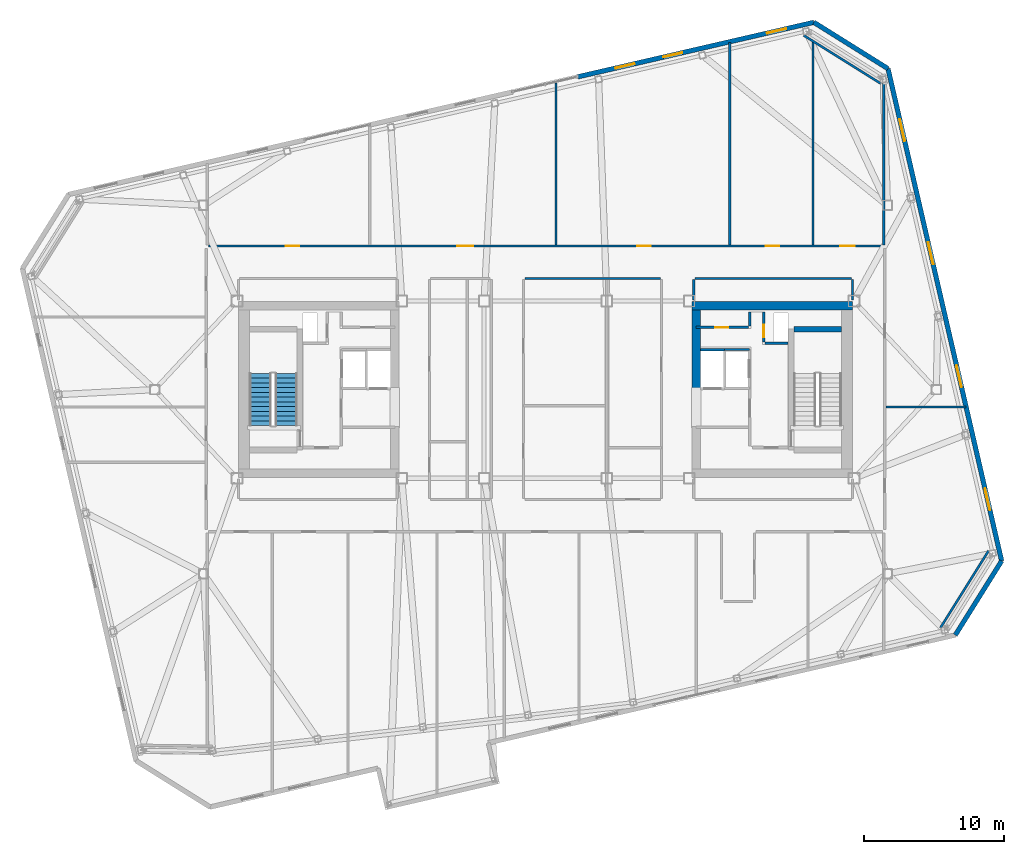
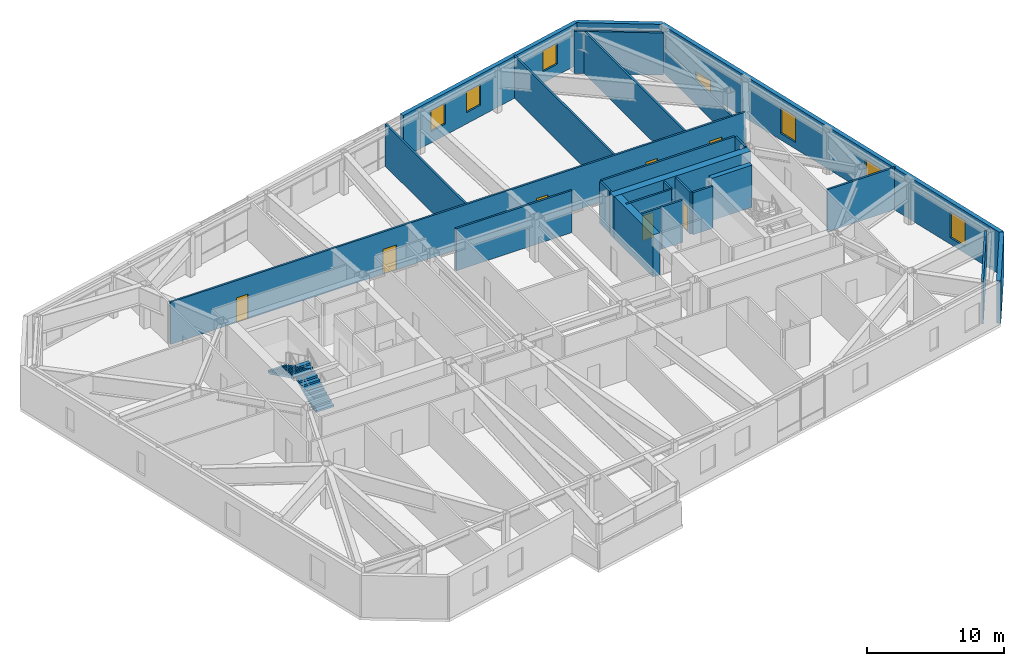
# One storey, part 17 of 21: 25 walls, 7 doors, 7 windows, 2 stair flights, 14 openings, 1 element without a shape of its own.
"""IFC4 building model written with IfcOpenShell, lengths in metres."""

from ifc_helpers import new_model, si_unit, direction, frame, frame_2d, origin, place, context, subcontext, project, spatial, polyline, rectangle, outline, extrude, material, layer, layer_set, type_object, element, fill, aggregate, save


model = new_model("IFC4")

# Units and contexts
model_context = context("Model", 3, precision=1e-05, world=origin(), true_north=direction((0.0, 1.0)))
body_context = subcontext(model_context, "Body", "Model", "MODEL_VIEW")
ifc_project = project(units=[si_unit("LENGTHUNIT", "METRE"), si_unit("AREAUNIT", "SQUARE_METRE"), si_unit("VOLUMEUNIT", "CUBIC_METRE"), si_unit("PLANEANGLEUNIT", "RADIAN"), si_unit("MASSUNIT", "GRAM", prefix="KILO")], contexts=[model_context])

# Site, building, storey
site_placement = place(None, origin())
site = spatial("IfcSite", under=ifc_project, at=site_placement, CompositionType="ELEMENT")
building_placement = place(site_placement, origin())
building = spatial("IfcBuilding", under=site, at=building_placement, Name="Tavrogorsk Clinical Tower", CompositionType="ELEMENT")
storey_placement = place(building_placement, frame((0.0, 0.0, 281.0)))
storey = spatial("IfcBuildingStorey", under=building, at=storey_placement, Name="L65", CompositionType="ELEMENT", Elevation=281.0)

# Wall, opening, door
ifc_material_1 = material(Name="Lightweight concrete blockwork B15", Category="masonry")
ifc_layer_1 = layer(ifc_material_1, 0.159912109375)
ifc_layer_set_1 = layer_set([ifc_layer_1], Name="Lightweight concrete blockwork B15")
wall_type_1 = type_object("IfcWallType", Name="PartitionWall_160", PredefinedType="PARTITIONING", material=ifc_layer_set_1)
wall_1_placement = place(storey_placement, frame((10.800048828125, 4.4599609375, 0.0), z_axis=(0.0, 0.0, 1.0), x_axis=(1.0, 0.0, 0.0)))
wall_1 = element("IfcWall", 1, at=wall_1_placement, inside=storey, type_object=wall_type_1, Name="L65 Core East Pneumatic Dispatch South Wall", PredefinedType="PARTITIONING", context=body_context, shape_type="SweptSolid", body=[
    extrude(rectangle(XDim=3.7548828125, YDim=0.159912109375, at=frame_2d((1.87744140625, 0.0))), origin(), (0.0, 0.0, 1.0), 3.739990234375),
])
opening_1_placement = place(wall_1_placement, frame((1.35009765625, 0.0, 0.0)))
opening_1 = element("IfcOpeningElement", 2, at=opening_1_placement, cuts=wall_1, Name="Opening ID-02", PredefinedType="OPENING", context=body_context, shape_type="SweptSolid", body=[
    extrude(rectangle(XDim=0.949951171875, YDim=2.199951171875, at=frame_2d((0.47509765625, 1.10009765625))), frame((0.0, 0.08984375, 0.0), z_axis=(0.0, -1.0, 0.0), x_axis=(1.0, 0.0, 0.0)), (0.0, 0.0, 1.0), 0.179931640625),
])
ifc_material_2 = material(Name="Laminated timber leaf on aluminium frame", Category="wood")
door_type_1 = type_object("IfcDoorType", Name="InteriorDoor_ID02_950", OperationType="NOTDEFINED", PredefinedType="DOOR", material=ifc_material_2)
door_1_placement = place(opening_1_placement, origin())
door_1 = element("IfcDoor", 3, at=door_1_placement, inside=storey, type_object=door_type_1, Name="L65 Core East Pneumatic Dispatch Door", OperationType="SINGLE_SWING_LEFT", OverallHeight=2.199951171875, OverallWidth=0.949951171875, PredefinedType="DOOR", context=body_context, shape_type="SweptSolid", body=[
    extrude(rectangle(XDim=0.949951171875, YDim=2.199951171875, at=frame_2d((0.47509765625, 1.10009765625))), frame((0.0, 0.02490234375, 0.0), z_axis=(0.0, -1.0, 0.0), x_axis=(1.0, 0.0, 0.0)), (0.0, 0.0, 1.0), 0.050048828125),
])
fill(opening_1, door_1)

# Walls
wall_2_placement = place(storey_placement, frame((14.639892578125, 4.544921875, 0.0), z_axis=(0.0, 0.0, 1.0), x_axis=(0.0, 1.0, 0.0)))
element("IfcWall", 4, at=wall_2_placement, inside=storey, type_object=wall_type_1, Name="L65 Core East Pneumatic Dispatch East Wall", PredefinedType="PARTITIONING", context=body_context, shape_type="SweptSolid", body=[
    extrude(rectangle(XDim=1.01513671875, YDim=0.159912109375, at=frame_2d((0.507568359375, 0.0))), origin(), (0.0, 0.0, 1.0), 3.739990234375),
])
for number, where, z_axis, x_axis, name in (
    (5, (28.30029296875, -17.064697265625, 0.0), (0.0, 0.0, 1.0), (0.529914601736, 0.848051009591, 0.0), "L65 Corner Exoskeleton Brace Furring Wall 1"),
    (6, (24.018310546875, 21.9306640625, 0.0), (0.0, 0.0, 1.0), (-0.848051009591, 0.529914601736, 0.0), "L65 Corner Exoskeleton Brace Furring Wall 2"),
):
    element("IfcWall", number, at=place(storey_placement, frame(where, z_axis=z_axis, x_axis=x_axis)), inside=storey, type_object=wall_type_1, Name=name, PredefinedType="PARTITIONING", context=body_context, shape_type="SweptSolid", body=[
        extrude(rectangle(XDim=6.50537109375, YDim=0.159912109375, at=frame_2d((3.252685546875, 0.0))), origin(), (0.0, 0.0, 1.0), 3.739990234375),
    ])

# Wall, openings, doors
wall_3_placement = place(storey_placement, frame((-24.14501953125, 10.280029296875, 0.0), z_axis=(0.0, 0.0, 1.0), x_axis=(1.0, 0.0, 0.0)))
wall_3 = element("IfcWall", 7, at=wall_3_placement, inside=storey, type_object=wall_type_1, Name="L65 Corridor Partition 02", PredefinedType="PARTITIONING", context=body_context, shape_type="SweptSolid", body=[
    extrude(rectangle(XDim=48.2900390625, YDim=0.159912109375, at=frame_2d((24.14501953125, 0.0))), origin(), (0.0, 0.0, 1.0), 3.739990234375),
])
opening_2_placement = place(wall_3_placement, frame((5.5341796875, 0.0, 0.0)))
opening_2 = element("IfcOpeningElement", 8, at=opening_2_placement, cuts=wall_3, Name="Opening ID-02", PredefinedType="OPENING", context=body_context, shape_type="SweptSolid", body=[
    extrude(rectangle(XDim=0.949951171875, YDim=2.199951171875, at=frame_2d((0.47509765625, 1.10009765625))), frame((0.0, 0.08984375, 0.0), z_axis=(0.0, -1.0, 0.0), x_axis=(1.0, 0.0, 0.0)), (0.0, 0.0, 1.0), 0.179931640625),
])
opening_3_placement = place(wall_3_placement, frame((17.830078125, 0.0, 0.0)))
opening_3 = element("IfcOpeningElement", 9, at=opening_3_placement, cuts=wall_3, Name="Opening ID-06", PredefinedType="OPENING", context=body_context, shape_type="SweptSolid", body=[
    extrude(rectangle(XDim=1.14990234375, YDim=2.199951171875, at=frame_2d((0.574951171875, 1.10009765625))), frame((0.0, 0.08984375, 0.0), z_axis=(0.0, -1.0, 0.0), x_axis=(1.0, 0.0, 0.0)), (0.0, 0.0, 1.0), 0.179931640625),
])
opening_4_placement = place(wall_3_placement, frame((30.72998046875, 0.0, 0.0)))
opening_4 = element("IfcOpeningElement", 10, at=opening_4_placement, cuts=wall_3, Name="Opening ID-02", PredefinedType="OPENING", context=body_context, shape_type="SweptSolid", body=[
    extrude(rectangle(XDim=0.949951171875, YDim=2.199951171875, at=frame_2d((0.47509765625, 1.10009765625))), frame((0.0, 0.08984375, 0.0), z_axis=(0.0, -1.0, 0.0), x_axis=(1.0, 0.0, 0.0)), (0.0, 0.0, 1.0), 0.179931640625),
])
opening_5_placement = place(wall_3_placement, frame((39.9375, 0.0, 0.0)))
opening_5 = element("IfcOpeningElement", 11, at=opening_5_placement, cuts=wall_3, Name="Opening ID-02", PredefinedType="OPENING", context=body_context, shape_type="SweptSolid", body=[
    extrude(rectangle(XDim=0.949951171875, YDim=2.199951171875, at=frame_2d((0.47509765625, 1.10009765625))), frame((0.0, 0.08984375, 0.0), z_axis=(0.0, -1.0, 0.0), x_axis=(1.0, 0.0, 0.0)), (0.0, 0.0, 1.0), 0.179931640625),
])
opening_6_placement = place(wall_3_placement, frame((45.25830078125, 0.0, 0.0)))
opening_6 = element("IfcOpeningElement", 12, at=opening_6_placement, cuts=wall_3, Name="Opening ID-04", PredefinedType="OPENING", context=body_context, shape_type="SweptSolid", body=[
    extrude(rectangle(XDim=1.050048828125, YDim=2.199951171875, at=frame_2d((0.52490234375, 1.10009765625))), frame((0.0, 0.08984375, 0.0), z_axis=(0.0, -1.0, 0.0), x_axis=(1.0, 0.0, 0.0)), (0.0, 0.0, 1.0), 0.179931640625),
])
ifc_material_3 = material(Name="Antibacterial HPL consultation door on aluminium frame", Category="aluminium")
door_type_2 = type_object("IfcDoorType", Name="ConsultDoor_ID04_1050", OperationType="NOTDEFINED", PredefinedType="DOOR", material=ifc_material_3)
door_2_placement = place(opening_6_placement, origin())
door_2 = element("IfcDoor", 13, at=door_2_placement, inside=storey, type_object=door_type_2, Name="L65 North Neuro-Rehabilitation Robotics Gym 03B Door", OperationType="SINGLE_SWING_LEFT", OverallHeight=2.199951171875, OverallWidth=1.050048828125, PredefinedType="DOOR", context=body_context, shape_type="SweptSolid", body=[
    extrude(rectangle(XDim=1.050048828125, YDim=2.199951171875, at=frame_2d((0.52490234375, 1.10009765625))), frame((0.0, 0.02490234375, 0.0), z_axis=(0.0, -1.0, 0.0), x_axis=(1.0, 0.0, 0.0)), (0.0, 0.0, 1.0), 0.050048828125),
])
fill(opening_6, door_2)
door_3_placement = place(opening_2_placement, origin())
door_3 = element("IfcDoor", 14, at=door_3_placement, inside=storey, type_object=door_type_1, Name="L65 North Speech & Occupational Therapy Office 01 Door", OperationType="SINGLE_SWING_LEFT", OverallHeight=2.199951171875, OverallWidth=0.949951171875, PredefinedType="DOOR", context=body_context, shape_type="SweptSolid", body=[
    extrude(rectangle(XDim=0.949951171875, YDim=2.199951171875, at=frame_2d((0.47509765625, 1.10009765625))), frame((0.0, 0.02490234375, 0.0), z_axis=(0.0, -1.0, 0.0), x_axis=(1.0, 0.0, 0.0)), (0.0, 0.0, 1.0), 0.050048828125),
])
fill(opening_2, door_3)
door_4_placement = place(opening_4_placement, origin())
door_4 = element("IfcDoor", 15, at=door_4_placement, inside=storey, type_object=door_type_1, Name="L65 North Speech & Occupational Therapy Office 02B Door", OperationType="SINGLE_SWING_LEFT", OverallHeight=2.199951171875, OverallWidth=0.949951171875, PredefinedType="DOOR", context=body_context, shape_type="SweptSolid", body=[
    extrude(rectangle(XDim=0.949951171875, YDim=2.199951171875, at=frame_2d((0.47509765625, 1.10009765625))), frame((0.0, 0.02490234375, 0.0), z_axis=(0.0, -1.0, 0.0), x_axis=(1.0, 0.0, 0.0)), (0.0, 0.0, 1.0), 0.050048828125),
])
fill(opening_4, door_4)
door_5_placement = place(opening_5_placement, origin())
door_5 = element("IfcDoor", 16, at=door_5_placement, inside=storey, type_object=door_type_1, Name="L65 North Patient Mobility Lounge 03A Door", OperationType="SINGLE_SWING_RIGHT", OverallHeight=2.199951171875, OverallWidth=0.949951171875, PredefinedType="DOOR", context=body_context, shape_type="SweptSolid", body=[
    extrude(rectangle(XDim=0.949951171875, YDim=2.199951171875, at=frame_2d((0.47509765625, 1.10009765625))), frame((0.0, 0.02490234375, 0.0), z_axis=(0.0, -1.0, 0.0), x_axis=(1.0, 0.0, 0.0)), (0.0, 0.0, 1.0), 0.050048828125),
])
fill(opening_5, door_5)
ifc_material_4 = material(Name="Antibacterial HPL procedure door on aluminium frame", Category="aluminium")
door_type_3 = type_object("IfcDoorType", Name="LabDoor_ID06_1150", OperationType="NOTDEFINED", PredefinedType="DOOR", material=ifc_material_4)
door_6_placement = place(opening_3_placement, origin())
door_6 = element("IfcDoor", 17, at=door_6_placement, inside=storey, type_object=door_type_3, Name="L65 North Neuro-Rehabilitation Robotics Gym 02A Door", OperationType="SINGLE_SWING_RIGHT", OverallHeight=2.199951171875, OverallWidth=1.14990234375, PredefinedType="DOOR", context=body_context, shape_type="SweptSolid", body=[
    extrude(rectangle(XDim=1.14990234375, YDim=2.199951171875, at=frame_2d((0.574951171875, 1.10009765625))), frame((0.0, 0.02490234375, 0.0), z_axis=(0.0, -1.0, 0.0), x_axis=(1.0, 0.0, 0.0)), (0.0, 0.0, 1.0), 0.050048828125),
])
fill(opening_3, door_6)

# Walls
wall_4_placement = place(storey_placement, frame((21.9150390625, 7.969970703125, 0.0), z_axis=(0.0, 0.0, 1.0), x_axis=(-1.0, 0.0, 0.0)))
element("IfcWall", 18, at=wall_4_placement, inside=storey, type_object=wall_type_1, Name="L65 Corridor Partition 09", PredefinedType="PARTITIONING", context=body_context, shape_type="SweptSolid", body=[
    extrude(rectangle(XDim=11.199951171875, YDim=0.159912109375, at=frame_2d((5.60009765625, 0.0))), origin(), (0.0, 0.0, 1.0), 3.739990234375),
])
for number, where, z_axis, x_axis, name in (
    (19, (10.6298828125, 7.885009765625, 0.0), (0.0, 0.0, 1.0), (0.0, -1.0, 0.0), "L65 Corridor Partition 10"),
    (20, (22.0, 6.419921875, 0.0), (0.0, 0.0, 1.0), (0.0, 1.0, 0.0), "L65 Corridor Partition 14"),
):
    element("IfcWall", number, at=place(storey_placement, frame(where, z_axis=z_axis, x_axis=x_axis)), inside=storey, type_object=wall_type_1, Name=name, PredefinedType="PARTITIONING", context=body_context, shape_type="SweptSolid", body=[
        extrude(rectangle(XDim=1.465087890625, YDim=0.159912109375, at=frame_2d((0.732421875, 0.0))), origin(), (0.0, 0.0, 1.0), 3.739990234375),
    ])
wall_5_placement = place(storey_placement, frame((8.235107421875, 7.969970703125, 0.0), z_axis=(0.0, 0.0, 1.0), x_axis=(-1.0, 0.0, 0.0)))
element("IfcWall", 21, at=wall_5_placement, inside=storey, type_object=wall_type_1, Name="L65 Corridor Partition 15", PredefinedType="PARTITIONING", context=body_context, shape_type="SweptSolid", body=[
    extrude(rectangle(XDim=9.72021484375, YDim=0.159912109375, at=frame_2d((4.860107421875, 0.0))), origin(), (0.0, 0.0, 1.0), 3.739990234375),
])
wall_6_placement = place(storey_placement, frame((24.22998046875, 10.364990234375, 0.0), z_axis=(0.0, 0.0, 1.0), x_axis=(0.0, 1.0, 0.0)))
element("IfcWall", 22, at=wall_6_placement, inside=storey, type_object=wall_type_1, Name="L65 NE Wing Closure Partition", PredefinedType="PARTITIONING", context=body_context, shape_type="SweptSolid", body=[
    extrude(rectangle(XDim=12.206298828125, YDim=0.159912109375, at=frame_2d((6.10302734375, 0.0))), origin(), (0.0, 0.0, 1.0), 2.135009765625),
])
wall_7_placement = place(storey_placement, frame((13.199951171875, 10.364990234375, 0.0), z_axis=(0.0, 0.0, 1.0), x_axis=(0.0, 1.0, 0.0)))
element("IfcWall", 23, at=wall_7_placement, inside=storey, type_object=wall_type_1, Name="L65 North Room Partition 2", PredefinedType="PARTITIONING", context=body_context, shape_type="SweptSolid", body=[
    extrude(rectangle(XDim=14.4873046875, YDim=0.159912109375, at=frame_2d((7.24365234375, 0.0))), origin(), (0.0, 0.0, 1.0), 3.739990234375),
])
wall_8_placement = place(storey_placement, frame((0.75, 10.364990234375, 0.0), z_axis=(0.0, 0.0, 1.0), x_axis=(0.0, 1.0, 0.0)))
element("IfcWall", 24, at=wall_8_placement, inside=storey, type_object=wall_type_1, Name="L65 North Sub-Partition 2", PredefinedType="PARTITIONING", context=body_context, shape_type="SweptSolid", body=[
    extrude(rectangle(XDim=11.613037109375, YDim=0.159912109375, at=frame_2d((5.806640625, 0.0))), origin(), (0.0, 0.0, 1.0), 3.739990234375),
])
wall_9_placement = place(storey_placement, frame((19.1650390625, 10.364990234375, 0.0), z_axis=(0.0, 0.0, 1.0), x_axis=(0.0, 1.0, 0.0)))
element("IfcWall", 25, at=wall_9_placement, inside=storey, type_object=wall_type_1, Name="L65 North Sub-Partition 3", PredefinedType="PARTITIONING", context=body_context, shape_type="SweptSolid", body=[
    extrude(rectangle(XDim=14.607666015625, YDim=0.159912109375, at=frame_2d((7.3037109375, 0.0))), origin(), (0.0, 0.0, 1.0), 3.739990234375),
])
wall_10_placement = place(storey_placement, frame((24.39501953125, -1.25, 0.0), z_axis=(0.0, 0.0, 1.0), x_axis=(1.0, 0.0, 0.0)))
element("IfcWall", 26, at=wall_10_placement, inside=storey, type_object=wall_type_1, Name="L65 E Wing Divider 1", PredefinedType="PARTITIONING", context=body_context, shape_type="SweptSolid", body=[
    extrude(rectangle(XDim=5.724853515625, YDim=0.159912109375, at=frame_2d((2.8623046875, 0.0))), origin(), (0.0, 0.0, 1.0), 3.739990234375),
])

# Wall, openings, windows
ifc_material_5 = material(Name="Precast concrete B45 with limestone cladding", Category="masonry")
ifc_layer_2 = layer(ifc_material_5, 0.340087890625)
ifc_layer_set_2 = layer_set([ifc_layer_2], Name="Precast concrete B45 with limestone cladding")
wall_type_2 = type_object("IfcWallType", Name="PrecastLimestoneWall_340", PredefinedType="STANDARD", material=ifc_layer_set_2)
wall_11_placement = place(storey_placement, frame((19.2294921875, 26.316162109375, 0.0), z_axis=(0.0, 0.0, 1.0), x_axis=(-0.974372473594, -0.224940620392, 0.0)))
wall_11 = element("IfcWall", 27, at=wall_11_placement, inside=storey, type_object=wall_type_2, Name="L65 N Limestone Facade Wall 1", PredefinedType="STANDARD", context=body_context, shape_type="SweptSolid", body=[
    extrude(rectangle(XDim=17.36572265625, YDim=0.340087890625, at=frame_2d((8.682861328125, 0.0))), origin(), (0.0, 0.0, 1.0), 3.739990234375),
])
opening_7_placement = place(wall_11_placement, frame((13.187255859375, 0.0, 1.0)))
opening_7 = element("IfcOpeningElement", 28, at=opening_7_placement, cuts=wall_11, Name="Opening WN-17", PredefinedType="OPENING", context=body_context, shape_type="SweptSolid", body=[
    extrude(rectangle(XDim=1.39990234375, YDim=1.85009765625, at=frame_2d((0.699951171875, 0.925048828125))), frame((0.0, 0.179931640625, 0.0), z_axis=(0.0, -1.0, 0.0), x_axis=(1.0, 0.0, 0.0)), (0.0, 0.0, 1.0), 0.360107421875),
])
opening_8_placement = place(wall_11_placement, frame((9.675537109375, 0.0, 1.0)))
opening_8 = element("IfcOpeningElement", 29, at=opening_8_placement, cuts=wall_11, Name="Opening WN-17", PredefinedType="OPENING", context=body_context, shape_type="SweptSolid", body=[
    extrude(rectangle(XDim=1.39990234375, YDim=1.85009765625, at=frame_2d((0.699951171875, 0.925048828125))), frame((0.0, 0.179931640625, 0.0), z_axis=(0.0, -1.0, 0.0), x_axis=(1.0, 0.0, 0.0)), (0.0, 0.0, 1.0), 0.360107421875),
])
opening_9_placement = place(wall_11_placement, frame((2.041259765625, 0.0, 1.0)))
opening_9 = element("IfcOpeningElement", 30, at=opening_9_placement, cuts=wall_11, Name="Opening WN-17", PredefinedType="OPENING", context=body_context, shape_type="SweptSolid", body=[
    extrude(rectangle(XDim=1.39990234375, YDim=1.85009765625, at=frame_2d((0.699951171875, 0.925048828125))), frame((0.0, 0.179931640625, 0.0), z_axis=(0.0, -1.0, 0.0), x_axis=(1.0, 0.0, 0.0)), (0.0, 0.0, 1.0), 0.360107421875),
])
ifc_material_6 = material(Name="Thermally broken aluminium frame and triple IGU", Category="aluminium")
window_type_1 = type_object("IfcWindowType", Name="TelemetryWin_1400x1850", PartitioningType="SINGLE_PANEL", PredefinedType="WINDOW", material=ifc_material_6)
window_1_placement = place(opening_7_placement, origin())
window_1 = element("IfcWindow", 31, at=window_1_placement, inside=storey, type_object=window_type_1, Name="L65 N Chicago Window 07", OverallHeight=1.85009765625, OverallWidth=1.39990234375, PartitioningType="SINGLE_PANEL", PredefinedType="WINDOW", context=body_context, shape_type="SweptSolid", body=[
    extrude(rectangle(XDim=1.39990234375, YDim=1.85009765625, at=frame_2d((0.699951171875, 0.925048828125))), frame((0.0, 0.030029296875, 0.0), z_axis=(0.0, -1.0, 0.0), x_axis=(1.0, 0.0, 0.0)), (0.0, 0.0, 1.0), 0.06005859375),
])
fill(opening_7, window_1)
window_2_placement = place(opening_8_placement, origin())
window_2 = element("IfcWindow", 32, at=window_2_placement, inside=storey, type_object=window_type_1, Name="L65 N Chicago Window 08", OverallHeight=1.85009765625, OverallWidth=1.39990234375, PartitioningType="SINGLE_PANEL", PredefinedType="WINDOW", context=body_context, shape_type="SweptSolid", body=[
    extrude(rectangle(XDim=1.39990234375, YDim=1.85009765625, at=frame_2d((0.699951171875, 0.925048828125))), frame((0.0, 0.030029296875, 0.0), z_axis=(0.0, -1.0, 0.0), x_axis=(1.0, 0.0, 0.0)), (0.0, 0.0, 1.0), 0.06005859375),
])
fill(opening_8, window_2)
window_3_placement = place(opening_9_placement, origin())
window_3 = element("IfcWindow", 33, at=window_3_placement, inside=storey, type_object=window_type_1, Name="L65 N Chicago Window 10", OverallHeight=1.85009765625, OverallWidth=1.39990234375, PartitioningType="SINGLE_PANEL", PredefinedType="WINDOW", context=body_context, shape_type="SweptSolid", body=[
    extrude(rectangle(XDim=1.39990234375, YDim=1.85009765625, at=frame_2d((0.699951171875, 0.925048828125))), frame((0.0, 0.030029296875, 0.0), z_axis=(0.0, -1.0, 0.0), x_axis=(1.0, 0.0, 0.0)), (0.0, 0.0, 1.0), 0.06005859375),
])
fill(opening_9, window_3)

wall_12_placement = place(storey_placement, frame((32.685791015625, -12.27587890625, 0.0), z_axis=(0.0, 0.0, 1.0), x_axis=(-0.224953091034, 0.974369594576, 0.0)))
wall_12 = element("IfcWall", 34, at=wall_12_placement, inside=storey, type_object=wall_type_2, Name="L65 E Pleated Limestone Wing Wall", PredefinedType="STANDARD", context=body_context, shape_type="SweptSolid", body=[
    extrude(rectangle(XDim=36.199951171875, YDim=0.340087890625, at=frame_2d((18.10009765625, 0.0))), origin(), (0.0, 0.0, 1.0), 3.739990234375),
])
opening_10_placement = place(wall_12_placement, frame((3.72509765625, 0.0, 0.580078125)))
opening_10 = element("IfcOpeningElement", 35, at=opening_10_placement, cuts=wall_12, Name="Opening WN-07", PredefinedType="OPENING", context=body_context, shape_type="SweptSolid", body=[
    extrude(rectangle(XDim=1.60009765625, YDim=2.300048828125, at=frame_2d((0.800048828125, 1.14990234375))), frame((0.0, 0.179931640625, 0.0), z_axis=(0.0, -1.0, 0.0), x_axis=(1.0, 0.0, 0.0)), (0.0, 0.0, 1.0), 0.360107421875),
])
opening_11_placement = place(wall_12_placement, frame((12.77490234375, 0.0, 0.580078125)))
opening_11 = element("IfcOpeningElement", 36, at=opening_11_placement, cuts=wall_12, Name="Opening WN-07", PredefinedType="OPENING", context=body_context, shape_type="SweptSolid", body=[
    extrude(rectangle(XDim=1.60009765625, YDim=2.300048828125, at=frame_2d((0.800048828125, 1.14990234375))), frame((0.0, 0.179931640625, 0.0), z_axis=(0.0, -1.0, 0.0), x_axis=(1.0, 0.0, 0.0)), (0.0, 0.0, 1.0), 0.360107421875),
])
opening_12_placement = place(wall_12_placement, frame((21.824951171875, 0.0, 0.580078125)))
opening_12 = element("IfcOpeningElement", 37, at=opening_12_placement, cuts=wall_12, Name="Opening WN-07", PredefinedType="OPENING", context=body_context, shape_type="SweptSolid", body=[
    extrude(rectangle(XDim=1.60009765625, YDim=2.300048828125, at=frame_2d((0.800048828125, 1.14990234375))), frame((0.0, 0.179931640625, 0.0), z_axis=(0.0, -1.0, 0.0), x_axis=(1.0, 0.0, 0.0)), (0.0, 0.0, 1.0), 0.360107421875),
])
opening_13_placement = place(wall_12_placement, frame((30.875, 0.0, 0.219970703125)))
opening_13 = element("IfcOpeningElement", 38, at=opening_13_placement, cuts=wall_12, Name="Opening WN-09", PredefinedType="OPENING", context=body_context, shape_type="SweptSolid", body=[
    extrude(rectangle(XDim=1.60009765625, YDim=1.199951171875, at=frame_2d((0.800048828125, 0.60009765625))), frame((0.0, 0.179931640625, 0.0), z_axis=(0.0, -1.0, 0.0), x_axis=(1.0, 0.0, 0.0)), (0.0, 0.0, 1.0), 0.360107421875),
])
ifc_material_7 = material(Name="Thermally broken aluminium frame and triple IGU", Category="aluminium")
window_type_2 = type_object("IfcWindowType", Name="LowHeadTransWin_1600x1200", PartitioningType="DOUBLE_PANEL_VERTICAL", PredefinedType="WINDOW", material=ifc_material_7)
window_4_placement = place(opening_13_placement, origin())
window_4 = element("IfcWindow", 39, at=window_4_placement, inside=storey, type_object=window_type_2, Name="L65 E Pleat Slot Window 4", OverallHeight=1.199951171875, OverallWidth=1.60009765625, PartitioningType="SINGLE_PANEL", PredefinedType="WINDOW", context=body_context, shape_type="SweptSolid", body=[
    extrude(rectangle(XDim=1.60009765625, YDim=1.199951171875, at=frame_2d((0.800048828125, 0.60009765625))), frame((0.0, 0.030029296875, 0.0), z_axis=(0.0, -1.0, 0.0), x_axis=(1.0, 0.0, 0.0)), (0.0, 0.0, 1.0), 0.06005859375),
])
fill(opening_13, window_4)
ifc_material_8 = material(Name="Thermally broken aluminium frame and triple IGU", Category="aluminium")
window_type_3 = type_object("IfcWindowType", Name="PleatSlotWin_1600x2300", PartitioningType="SINGLE_PANEL", PredefinedType="WINDOW", material=ifc_material_8)
window_5_placement = place(opening_10_placement, origin())
window_5 = element("IfcWindow", 40, at=window_5_placement, inside=storey, type_object=window_type_3, Name="L65 E Pleat Slot Window 1", OverallHeight=2.300048828125, OverallWidth=1.60009765625, PartitioningType="SINGLE_PANEL", PredefinedType="WINDOW", context=body_context, shape_type="SweptSolid", body=[
    extrude(rectangle(XDim=1.60009765625, YDim=2.300048828125, at=frame_2d((0.800048828125, 1.14990234375))), frame((0.0, 0.030029296875, 0.0), z_axis=(0.0, -1.0, 0.0), x_axis=(1.0, 0.0, 0.0)), (0.0, 0.0, 1.0), 0.06005859375),
])
fill(opening_10, window_5)
window_6_placement = place(opening_11_placement, origin())
window_6 = element("IfcWindow", 41, at=window_6_placement, inside=storey, type_object=window_type_3, Name="L65 E Pleat Slot Window 2", OverallHeight=2.300048828125, OverallWidth=1.60009765625, PartitioningType="SINGLE_PANEL", PredefinedType="WINDOW", context=body_context, shape_type="SweptSolid", body=[
    extrude(rectangle(XDim=1.60009765625, YDim=2.300048828125, at=frame_2d((0.800048828125, 1.14990234375))), frame((0.0, 0.030029296875, 0.0), z_axis=(0.0, -1.0, 0.0), x_axis=(1.0, 0.0, 0.0)), (0.0, 0.0, 1.0), 0.06005859375),
])
fill(opening_11, window_6)
window_7_placement = place(opening_12_placement, origin())
window_7 = element("IfcWindow", 42, at=window_7_placement, inside=storey, type_object=window_type_3, Name="L65 E Pleat Slot Window 3", OverallHeight=2.300048828125, OverallWidth=1.60009765625, PartitioningType="SINGLE_PANEL", PredefinedType="WINDOW", context=body_context, shape_type="SweptSolid", body=[
    extrude(rectangle(XDim=1.60009765625, YDim=2.300048828125, at=frame_2d((0.800048828125, 1.14990234375))), frame((0.0, 0.030029296875, 0.0), z_axis=(0.0, -1.0, 0.0), x_axis=(1.0, 0.0, 0.0)), (0.0, 0.0, 1.0), 0.06005859375),
])
fill(opening_12, window_7)

# Walls
for number, where, z_axis, x_axis, name in (
    (43, (29.365966796875, -17.5888671875, 0.0), (0.0, 0.0, 1.0), (0.529907862057, 0.848055220921, 0.0), "L65 Chamfered Corner Wall 1"),
    (44, (24.54248046875, 22.996337890625, 0.0), (0.0, 0.0, 1.0), (-0.848055220921, 0.529907862057, 0.0), "L65 Chamfered Corner Wall 2"),
):
    element("IfcWall", number, at=place(storey_placement, frame(where, z_axis=z_axis, x_axis=x_axis)), inside=storey, type_object=wall_type_2, Name=name, PredefinedType="STANDARD", context=body_context, shape_type="SweptSolid", body=[
        extrude(rectangle(XDim=6.264892578125, YDim=0.340087890625, at=frame_2d((3.13232421875, 0.0))), origin(), (0.0, 0.0, 1.0), 3.739990234375),
    ])
ifc_material_9 = material(Name="Lightweight concrete blockwork B25", Category="masonry")
ifc_layer_3 = layer(ifc_material_9, 0.159912109375)
ifc_layer_set_3 = layer_set([ifc_layer_3], Name="Lightweight concrete blockwork B25")
wall_type_3 = type_object("IfcWallType", Name="ShaftWall_160", PredefinedType="PARTITIONING", material=ifc_layer_set_3)
wall_13_placement = place(storey_placement, frame((12.840087890625, 2.8798828125, 0.0), z_axis=(0.0, 0.0, 1.0), x_axis=(1.0, 0.0, 0.0)))
element("IfcWall", 45, at=wall_13_placement, inside=storey, type_object=wall_type_3, Name="L65 FFL-E Shaft North Wall", PredefinedType="PARTITIONING", context=body_context, shape_type="SweptSolid", body=[
    extrude(rectangle(XDim=1.760009765625, YDim=0.159912109375, at=frame_2d((0.8798828125, 0.0))), origin(), (0.0, 0.0, 1.0), 3.739990234375),
])
wall_14_placement = place(storey_placement, frame((11.10009765625, 2.860107421875, 0.0), z_axis=(0.0, 0.0, 1.0), x_axis=(1.0, 0.0, 0.0)))
element("IfcWall", 46, at=wall_14_placement, inside=storey, type_object=wall_type_3, Name="L65 LP-H2 High-Zone Lift Rear Wall", PredefinedType="PARTITIONING", context=body_context, shape_type="SweptSolid", body=[
    extrude(rectangle(XDim=1.719970703125, YDim=0.159912109375, at=frame_2d((0.85986328125, 0.0))), origin(), (0.0, 0.0, 1.0), 3.739990234375),
])

# Wall, opening, door
wall_15_placement = place(storey_placement, frame((15.639892578125, 3.405029296875, 0.0), z_axis=(0.0, 0.0, 1.0), x_axis=(0.0, 1.0, 0.0)))
wall_15 = element("IfcWall", 47, at=wall_15_placement, inside=storey, type_object=wall_type_3, Name="L65 Core East Riser West Wall", PredefinedType="PARTITIONING", context=body_context, shape_type="SweptSolid", body=[
    extrude(rectangle(XDim=2.155029296875, YDim=0.159912109375, at=frame_2d((1.07763671875, 0.0))), origin(), (0.0, 0.0, 1.0), 3.739990234375),
])
opening_14_placement = place(wall_15_placement, frame((0.35009765625, 0.0, 0.0)))
opening_14 = element("IfcOpeningElement", 48, at=opening_14_placement, cuts=wall_15, Name="Opening FD-02", PredefinedType="OPENING", context=body_context, shape_type="SweptSolid", body=[
    extrude(rectangle(XDim=0.89990234375, YDim=2.199951171875, at=frame_2d((0.449951171875, 1.10009765625))), frame((0.0, 0.08984375, 0.0), z_axis=(0.0, -1.0, 0.0), x_axis=(1.0, 0.0, 0.0)), (0.0, 0.0, 1.0), 0.179931640625),
])
ifc_material_10 = material(Name="Galvanised steel fire-rated door assembly", Category="steel")
door_type_4 = type_object("IfcDoorType", Name="FireDoor_FD02_900", OperationType="NOTDEFINED", PredefinedType="DOOR", material=ifc_material_10)
door_7_placement = place(opening_14_placement, origin())
door_7 = element("IfcDoor", 49, at=door_7_placement, inside=storey, type_object=door_type_4, Name="L65 Core East Electrical Riser Access Door", OperationType="SINGLE_SWING_LEFT", OverallHeight=2.199951171875, OverallWidth=0.89990234375, PredefinedType="DOOR", context=body_context, shape_type="SweptSolid", body=[
    extrude(rectangle(XDim=0.89990234375, YDim=2.199951171875, at=frame_2d((0.449951171875, 1.10009765625))), frame((0.0, 0.02490234375, 0.0), z_axis=(0.0, -1.0, 0.0), x_axis=(1.0, 0.0, 0.0)), (0.0, 0.0, 1.0), 0.050048828125),
])
fill(opening_14, door_7)

# Walls
wall_16_placement = place(storey_placement, frame((15.72509765625, 3.320068359375, 0.0), z_axis=(0.0, 0.0, 1.0), x_axis=(1.0, 0.0, 0.0)))
element("IfcWall", 50, at=wall_16_placement, inside=storey, type_object=wall_type_3, Name="L65 Core East Riser South Wall", PredefinedType="PARTITIONING", context=body_context, shape_type="SweptSolid", body=[
    extrude(rectangle(XDim=1.65478515625, YDim=0.159912109375, at=frame_2d((0.827392578125, 0.0))), origin(), (0.0, 0.0, 1.0), 3.739990234375),
])
ifc_material_11 = material(Name="Concrete B80", Category="concrete")
ifc_layer_4 = layer(ifc_material_11, 0.39990234375)
ifc_layer_set_4 = layer_set([ifc_layer_4], Name="Concrete B80")
wall_type_4 = type_object("IfcWallType", Name="ShearWall_400", PredefinedType="SHEAR", material=ifc_layer_set_4)
wall_17_placement = place(storey_placement, frame((17.800048828125, 4.324951171875, 0.0), z_axis=(0.0, 0.0, 1.0), x_axis=(1.0, 0.0, 0.0)))
element("IfcWall", 51, at=wall_17_placement, inside=storey, type_object=wall_type_4, Name="L65 Core East Stair Shaft North Shear Wall", PredefinedType="SHEAR", context=body_context, shape_type="SweptSolid", body=[
    extrude(rectangle(XDim=3.39990234375, YDim=0.39990234375, at=frame_2d((1.699951171875, 0.0))), origin(), (0.0, 0.0, 1.0), 3.739990234375),
])
ifc_material_12 = material(Name="Concrete B80", Category="concrete")
ifc_layer_5 = layer(ifc_material_12, 0.60009765625)
ifc_layer_set_5 = layer_set([ifc_layer_5], Name="Concrete B80")
wall_type_5 = type_object("IfcWallType", Name="ShearWall_600", PredefinedType="SHEAR", material=ifc_layer_set_5)
wall_18_placement = place(storey_placement, frame((10.5, 6.0, 0.0), z_axis=(0.0, 0.0, 1.0), x_axis=(1.0, 0.0, 0.0)))
element("IfcWall", 52, at=wall_18_placement, inside=storey, type_object=wall_type_5, Name="L65 Core East North Shear Wall", PredefinedType="SHEAR", context=body_context, shape_type="SweptSolid", body=[
    extrude(rectangle(XDim=11.5, YDim=0.60009765625, at=frame_2d((5.75, 0.0))), origin(), (0.0, 0.0, 1.0), 3.739990234375),
])
wall_19_placement = place(storey_placement, frame((10.800048828125, 0.050048828125, 0.0), z_axis=(0.0, 0.0, 1.0), x_axis=(0.0, 1.0, 0.0)))
element("IfcWall", 53, at=wall_19_placement, inside=storey, type_object=wall_type_5, Name="L65 Core East Inner North Pier", PredefinedType="SHEAR", context=body_context, shape_type="SweptSolid", body=[
    extrude(rectangle(XDim=5.64990234375, YDim=0.60009765625, at=frame_2d((2.824951171875, 0.0))), origin(), (0.0, 0.0, 1.0), 3.739990234375),
])

# Stair, stair flights
ifc_material_13 = material(Name="Concrete B60", Category="concrete")
stair_type = type_object("IfcStairType", Name="CoreStairAssembly", PredefinedType="HALF_TURN_STAIR", material=ifc_material_13)
stair_placement = place(storey_placement, origin())
stair = element("IfcStair", 54, at=stair_placement, inside=storey, type_object=stair_type, Name="L65 ST-W", PredefinedType="HALF_TURN_STAIR")
ifc_material_14 = material(Name="Concrete B60", Category="concrete")
stair_flight_type = type_object("IfcStairFlightType", Name="CoreStairFlight", PredefinedType="STRAIGHT", material=ifc_material_14)
stair_flight_1_placement = place(storey_placement, frame((-18.574951171875, -2.574951171875, 0.0), z_axis=(0.0, 0.0, 1.0), x_axis=(0.0, 1.0, 0.0)))
stair_flight_1 = element("IfcStairFlight", 55, at=stair_flight_1_placement, type_object=stair_flight_type, Name="ST-W flight 1", NumberOfRisers=12, NumberOfTreads=11, PredefinedType="STRAIGHT", RiserHeight=0.166666667, TreadLength=0.34, context=body_context, shape_type="SweptSolid", body=[
    extrude(outline(polyline([(0.0, 0.0), (0.0, 0.166748046875), (0.340087890625, 0.166748046875), (0.340087890625, 0.333251953125), (0.679931640625, 0.333251953125), (0.679931640625, 0.5), (1.02001953125, 0.5), (1.02001953125, 0.666748046875), (1.360107421875, 0.666748046875), (1.360107421875, 0.833251953125), (1.699951171875, 0.833251953125), (1.699951171875, 1.0), (2.0400390625, 1.0), (2.0400390625, 1.166748046875), (2.3798828125, 1.166748046875), (2.3798828125, 1.333251953125), (2.719970703125, 1.333251953125), (2.719970703125, 1.5), (3.06005859375, 1.5), (3.06005859375, 1.666748046875), (3.39990234375, 1.666748046875), (3.39990234375, 1.833251953125), (3.739990234375, 1.833251953125), (3.739990234375, 2.0), (3.739990234375, 1.66650390625), (0.340576171875, 0.0), (0.0, 0.0)])), frame((0.0, 0.77490234375, 0.0), z_axis=(0.0, -1.0, 0.0), x_axis=(1.0, 0.0, 0.0)), (0.0, 0.0, 1.0), 1.550048828125),
])
stair_flight_2_placement = place(storey_placement, frame((-20.425048828125, 1.1650390625, 2.0), z_axis=(0.0, 0.0, 1.0), x_axis=(0.0, -1.0, 0.0)))
stair_flight_2 = element("IfcStairFlight", 56, at=stair_flight_2_placement, type_object=stair_flight_type, Name="ST-W flight 2", NumberOfRisers=12, NumberOfTreads=11, PredefinedType="STRAIGHT", RiserHeight=0.166666667, TreadLength=0.34, context=body_context, shape_type="SweptSolid", body=[
    extrude(outline(polyline([(0.0, 0.0), (0.0, 0.166748046875), (0.340087890625, 0.166748046875), (0.340087890625, 0.333251953125), (0.679931640625, 0.333251953125), (0.679931640625, 0.5), (1.02001953125, 0.5), (1.02001953125, 0.666748046875), (1.360107421875, 0.666748046875), (1.360107421875, 0.833251953125), (1.699951171875, 0.833251953125), (1.699951171875, 1.0), (2.0400390625, 1.0), (2.0400390625, 1.166748046875), (2.3798828125, 1.166748046875), (2.3798828125, 1.333251953125), (2.719970703125, 1.333251953125), (2.719970703125, 1.5), (3.06005859375, 1.5), (3.06005859375, 1.666748046875), (3.39990234375, 1.666748046875), (3.39990234375, 1.833251953125), (3.739990234375, 1.833251953125), (3.739990234375, 2.0), (3.739990234375, 1.66650390625), (0.340576171875, 0.0), (0.0, 0.0)])), frame((0.0, 0.77490234375, 0.0), z_axis=(0.0, -1.0, 0.0), x_axis=(1.0, 0.0, 0.0)), (0.0, 0.0, 1.0), 1.550048828125),
])
aggregate(stair, [stair_flight_1, stair_flight_2])

save(model, "model.ifc")
